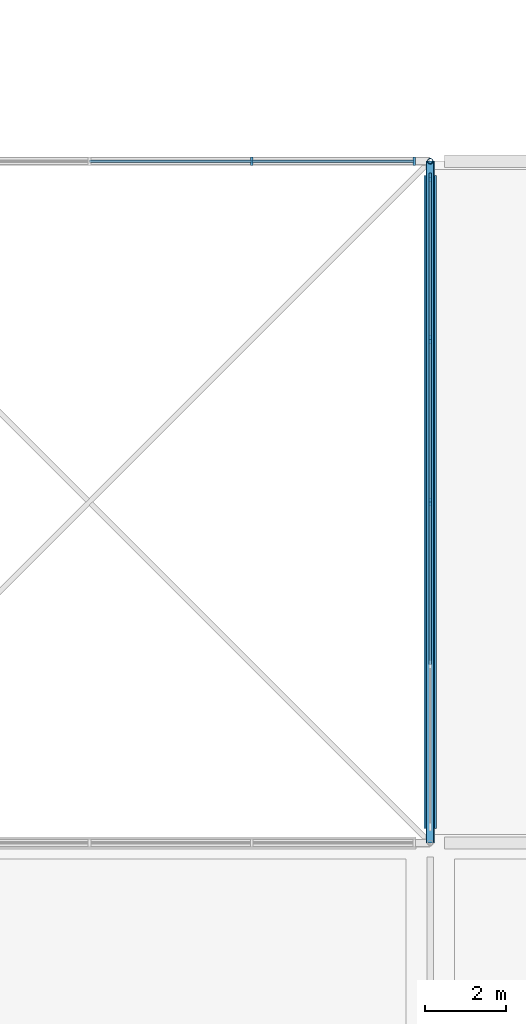
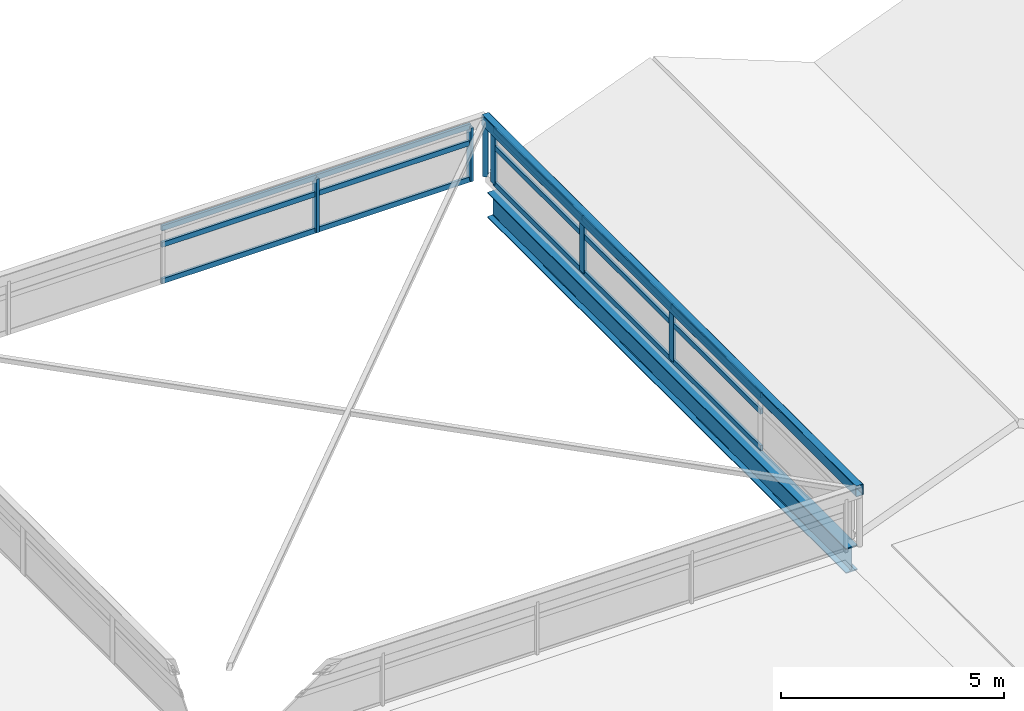
# One storey, part 65 of 81: 21 members, 2 beams, 2 elements without a shape of their own.
"""IFC4 building model written with IfcOpenShell, lengths in metres."""

import ifcopenshell
import ifcopenshell.guid

model = None  # the IFC model being written
_history = None  # IfcOwnerHistory: only IFC2X3 demands one
_inside = {}  # id of a spatial element -> (the spatial element, [elements in it])
_under = {}  # id of a project, library or spatial element -> (it, [spatial elements below it])
_declared = {}  # id of a project -> (the project, [libraries it declares])
_typed = {}  # id of a type object -> (the type object, [elements of that type])
_made_of = {}  # id of a material, layer set ... -> (it, [elements and type objects made of it])


def new_model(schema):
    """Start an empty IFC model of exactly this schema.

    Asked for "IFC4X3", IfcOpenShell would pick the latest addendum, in which some entities
    have other attributes; the version numbers below select the first issue.
    IFC2X3 requires an IfcOwnerHistory on every rooted entity: one is made here for all.
    """
    global model, _history
    if schema == "IFC4X3":
        model = ifcopenshell.file(schema_version=(4, 3, 0, 0))
    else:
        model = ifcopenshell.file(schema=schema)
    _inside.clear()
    _under.clear()
    _declared.clear()
    _typed.clear()
    _made_of.clear()
    _history = None
    if model.schema == "IFC2X3":
        org = make("IfcOrganization", Name="unknown")
        user = make(
            "IfcPersonAndOrganization",
            ThePerson=make("IfcPerson", FamilyName="unknown"),
            TheOrganization=org,
        )
        app = make(
            "IfcApplication",
            ApplicationDeveloper=org,
            Version="unknown",
            ApplicationFullName="unknown",
            ApplicationIdentifier="unknown",
        )
        _history = make(
            "IfcOwnerHistory",
            OwningUser=user,
            OwningApplication=app,
            ChangeAction="ADDED",
            CreationDate=0,
        )
    return model


def make(cls, **values):
    """One entity of the class cls with the attributes given. An attribute that is None is left unset."""
    return model.create_entity(
        cls, **{name: value for name, value in values.items() if value is not None}
    )


def rooted(cls, **values):
    """An entity with a GlobalId (a new one), such as an element, a storey or a relation."""
    return make(cls, GlobalId=ifcopenshell.guid.new(), OwnerHistory=_history, **values)


def si_unit(unit_type, name, prefix=None):
    """IfcSIUnit, for example si_unit("LENGTHUNIT", "METRE", prefix="MILLI")."""
    return make("IfcSIUnit", UnitType=unit_type, Prefix=prefix, Name=name)


def assignment(units):
    """IfcUnitAssignment: the units of a project."""
    return None if units is None else make("IfcUnitAssignment", Units=units)


def point(xyz):
    """IfcCartesianPoint."""
    return None if xyz is None else make("IfcCartesianPoint", Coordinates=xyz)


def direction(xyz):
    """IfcDirection."""
    return None if xyz is None else make("IfcDirection", DirectionRatios=xyz)


def frame(location, z_axis=None, x_axis=None):
    """IfcAxis2Placement3D, a coordinate frame: its origin and axes. An axis left out is left unset."""
    return make(
        "IfcAxis2Placement3D",
        Location=point(location),
        Axis=direction(z_axis),
        RefDirection=direction(x_axis),
    )


def frame_2d(location, x_axis=None):
    """IfcAxis2Placement2D, a coordinate frame in the plane: its origin and x axis."""
    return make(
        "IfcAxis2Placement2D", Location=point(location), RefDirection=direction(x_axis)
    )


def origin():
    """The frame at (0, 0, 0) with its axes left unset."""
    return frame((0.0, 0.0, 0.0))


def origin_2d():
    """The frame at (0, 0) in the plane with its x axis left unset."""
    return frame_2d((0.0, 0.0))


def place(relative_to, where):
    """IfcLocalPlacement: puts the frame where relative to a parent placement (None: the world)."""
    return make(
        "IfcLocalPlacement", PlacementRelTo=relative_to, RelativePlacement=where
    )


def context(
    kind, dimensions, precision=None, world=None, true_north=None, identifier=None
):
    """IfcGeometricRepresentationContext, for example the 3D "Model" context."""
    return make(
        "IfcGeometricRepresentationContext",
        ContextIdentifier=identifier,
        ContextType=kind,
        CoordinateSpaceDimension=dimensions,
        Precision=precision,
        WorldCoordinateSystem=world,
        TrueNorth=true_north,
    )


def subcontext(parent, identifier, kind, view, scale=None):
    """IfcGeometricRepresentationSubContext, for example "Body" below "Model"."""
    return make(
        "IfcGeometricRepresentationSubContext",
        ContextIdentifier=identifier,
        ContextType=kind,
        ParentContext=parent,
        TargetScale=scale,
        TargetView=view,
    )


def project(units=None, contexts=None):
    """IfcProject with its units and contexts."""
    return rooted(
        "IfcProject",
        Name="project",
        RepresentationContexts=contexts,
        UnitsInContext=assignment(units),
    )


def spatial(cls, under=None, at=None, **own):
    """A site, building, storey or space (cls), placed at a placement, below another one or the project."""
    s = rooted(cls, ObjectPlacement=at, **own)
    if under is not None:
        _under.setdefault(under.id(), (under, []))[1].append(s)
    return s


def profile(cls, at=None, kind="AREA", **sizes):
    """A parametric profile (cls). Its sizes go by their IFC names, for example OverallWidth=200.0."""
    return make(cls, ProfileType=kind, Position=at, **sizes)


def rectangle(**sizes):
    """IfcRectangleProfileDef."""
    return profile("IfcRectangleProfileDef", **sizes)


def hollow_rectangle(**sizes):
    """IfcRectangleHollowProfileDef."""
    return profile("IfcRectangleHollowProfileDef", **sizes)


def hollow_circle(**sizes):
    """IfcCircleHollowProfileDef."""
    return profile("IfcCircleHollowProfileDef", **sizes)


def i_section(**sizes):
    """IfcIShapeProfileDef."""
    return profile("IfcIShapeProfileDef", **sizes)


def extrude(swept, where, along, depth):
    """IfcExtrudedAreaSolid: the profile swept, set in the frame where, extruded along a direction by depth."""
    return make(
        "IfcExtrudedAreaSolid",
        SweptArea=swept,
        Position=where,
        ExtrudedDirection=direction(along),
        Depth=depth,
    )


def shape(context_of_items, identifier, shape_type, items):
    """IfcShapeRepresentation: the items that make up one representation, for example the "Body"."""
    return make(
        "IfcShapeRepresentation",
        ContextOfItems=context_of_items,
        RepresentationIdentifier=identifier,
        RepresentationType=shape_type,
        Items=items,
    )


def material(Name=None, Category=None):
    """IfcMaterial."""
    return make("IfcMaterial", Name=Name, Category=Category)


def layer(
    of_material, thickness, ventilated=None, Name=None, Category=None, Priority=None
):
    """IfcMaterialLayer: one layer of a wall or slab, of a material (None: an air gap)."""
    return make(
        "IfcMaterialLayer",
        Material=of_material,
        LayerThickness=thickness,
        IsVentilated=ventilated,
        Name=Name,
        Category=Category,
        Priority=Priority,
    )


def layer_set(layers, Name=None):
    """IfcMaterialLayerSet."""
    return make("IfcMaterialLayerSet", MaterialLayers=layers, LayerSetName=Name)


def material_profile(
    of_material, cross_section, Name=None, Category=None, Priority=None
):
    """IfcMaterialProfile: a cross section and its material."""
    return make(
        "IfcMaterialProfile",
        Name=Name,
        Material=of_material,
        Profile=cross_section,
        Priority=Priority,
        Category=Category,
    )


def profile_set(profiles, Name=None, composite=None):
    """IfcMaterialProfileSet."""
    return make(
        "IfcMaterialProfileSet",
        Name=Name,
        MaterialProfiles=profiles,
        CompositeProfile=composite,
    )


def made_of(thing, what):
    """Note that an element or type object is made of a material, layer set ...; save() writes the relation."""
    if what is not None:
        _made_of.setdefault(what.id(), (what, []))[1].append(thing)
    return thing


def type_object(cls, material=None, **own):
    """A type object (cls), such as IfcWallType, which elements share."""
    return made_of(rooted(cls, **own), material)


def element(
    cls,
    number,
    at=None,
    inside=None,
    cuts=None,
    type_object=None,
    material=None,
    context=None,
    identifier="Body",
    shape_type=None,
    held_by="IfcProductDefinitionShape",
    body=None,
    shapes=None,
    **own,
):
    """One element of the class cls, such as IfcWall. Its Tag is "e" and its number.

    at: its placement. inside: the storey or other place that contains it. cuts: it is an
    opening in that element (IfcRelVoidsElement). A single representation is given by context,
    identifier, shape_type and body (its items); several are given by shapes. held_by: the class
    of the entity that holds the representations. save() writes the other relations.
    """
    e = rooted(cls, Tag="e%d" % number, ObjectPlacement=at, **own)
    if body is not None:
        shapes = [shape(context, identifier, shape_type, body)]
    if shapes is not None:
        e.Representation = make(held_by, Representations=shapes)
    if inside is not None:
        _inside.setdefault(inside.id(), (inside, []))[1].append(e)
    if cuts is not None:
        rooted(
            "IfcRelVoidsElement", RelatingBuildingElement=cuts, RelatedOpeningElement=e
        )
    if type_object is not None:
        _typed.setdefault(type_object.id(), (type_object, []))[1].append(e)
    return made_of(e, material)


def aggregate(whole, parts):
    """IfcRelAggregates: a whole, such as a stair, and the parts it consists of."""
    return rooted("IfcRelAggregates", RelatingObject=whole, RelatedObjects=parts)


def save(model, path):
    """Write the relations noted so far, then the file.

    IfcRelAggregates (storeys below a building ...), IfcRelContainedInSpatialStructure (elements
    in a storey), IfcRelDefinesByType, IfcRelAssociatesMaterial and IfcRelDeclares: one each for
    every whole, place, type object, material and project.
    """
    for whole, parts in _under.values():
        aggregate(whole, parts)
    for where, things in _inside.values():
        rooted(
            "IfcRelContainedInSpatialStructure",
            RelatedElements=things,
            RelatingStructure=where,
        )
    for kind, things in _typed.values():
        rooted("IfcRelDefinesByType", RelatedObjects=things, RelatingType=kind)
    for what, things in _made_of.values():
        rooted("IfcRelAssociatesMaterial", RelatedObjects=things, RelatingMaterial=what)
    for by, libraries in _declared.values():
        rooted("IfcRelDeclares", RelatingContext=by, RelatedDefinitions=libraries)
    model.write(path)


model = new_model("IFC4")

# Units and contexts
model_context = context("Model", 3, precision=1e-05, world=origin(), true_north=direction((0.0, 1.0)))
body_context = subcontext(model_context, "Body", "Model", "MODEL_VIEW")
ifc_project = project(units=[si_unit("LENGTHUNIT", "METRE"), si_unit("AREAUNIT", "SQUARE_METRE"), si_unit("VOLUMEUNIT", "CUBIC_METRE"), si_unit("PLANEANGLEUNIT", "RADIAN"), si_unit("MASSUNIT", "GRAM", prefix="KILO")], contexts=[model_context])

# Site, building, storey
site_placement = place(None, origin())
site = spatial("IfcSite", under=ifc_project, at=site_placement, CompositionType="ELEMENT")
building_placement = place(site_placement, origin())
building = spatial("IfcBuilding", under=site, at=building_placement, Name="Qawsi Khor Wholesale Market", CompositionType="ELEMENT")
storey_placement = place(building_placement, frame((0.0, 0.0, 16.199951171875)))
storey = spatial("IfcBuildingStorey", under=building, at=storey_placement, Name="L03", CompositionType="ELEMENT", Elevation=16.199951171875)

# Curtain wall, members
ifc_material_1 = material(Name="Aluminium Anodised Bronze", Category="aluminium")
ifc_layer = layer(ifc_material_1, 0.179931640625, Name="Aluminium Anodised Bronze")
ifc_layer_set = layer_set([ifc_layer], Name="Aluminium Anodised Bronze")
curtain_wall_type = type_object("IfcCurtainWallType", Name="Atrium Full-Height Curtain Wall CW-02", PredefinedType="NOTDEFINED", material=ifc_layer_set)
curtain_wall_1_placement = place(storey_placement, origin())
curtain_wall_1 = element("IfcCurtainWall", 1, at=curtain_wall_1_placement, inside=storey, type_object=curtain_wall_type, Name="Curtain wall CW-CW-02-L03-051", PredefinedType="NOTDEFINED")
ifc_material_profile_1 = material_profile(ifc_material_1, rectangle(XDim=0.070068359375, YDim=0.199951171875, at=origin_2d()), Name="ALU MULLION 70x200")
ifc_profile_set_1 = profile_set([ifc_material_profile_1], Name="Aluminium Anodised Bronze")
member_type_1 = type_object("IfcMemberType", Name="Curtain Wall Mullion CW-02 ALU MULLION 70x200", PredefinedType="MULLION", material=ifc_profile_set_1)
member_1_placement = place(storey_placement, frame((163.6025390625, 42.0, -0.02001953125), z_axis=(0.0, 0.0, 1.0), x_axis=(1.0, 0.0, 0.0)))
member_1 = element("IfcMember", 2, at=member_1_placement, type_object=member_type_1, Name="Mullion CW-CW-02-L03-051-M03", PredefinedType="MULLION", context=body_context, shape_type="SweptSolid", body=[
    extrude(rectangle(XDim=0.070068359375, YDim=0.199951171875, at=origin_2d()), origin(), (0.0, 0.0, 1.0), 1.469970703125),
])
member_2_placement = place(storey_placement, frame((167.60498046875, 42.0, -0.02001953125), z_axis=(0.0, 0.0, 1.0), x_axis=(1.0, 0.0, 0.0)))
member_2 = element("IfcMember", 3, at=member_2_placement, type_object=member_type_1, Name="Mullion CW-CW-02-L03-051-M04", PredefinedType="MULLION", context=body_context, shape_type="SweptSolid", body=[
    extrude(rectangle(XDim=0.070068359375, YDim=0.199951171875, at=origin_2d()), origin(), (0.0, 0.0, 1.0), 1.469970703125),
])

curtain_wall_2_placement = place(storey_placement, origin())
curtain_wall_2 = element("IfcCurtainWall", 4, at=curtain_wall_2_placement, inside=storey, type_object=curtain_wall_type, Name="Curtain wall CW-CW-02-L03-053", PredefinedType="NOTDEFINED")
member_3_placement = place(storey_placement, frame((168.0, 33.60009765625, -0.02001953125), z_axis=(0.0, 0.0, 1.0), x_axis=(1.0, 0.0, 0.0)))
member_3 = element("IfcMember", 5, at=member_3_placement, type_object=member_type_1, Name="Mullion CW-CW-02-L03-053-M02", PredefinedType="MULLION", context=body_context, shape_type="SweptSolid", body=[
    extrude(rectangle(XDim=0.070068359375, YDim=0.199951171875, at=origin_2d()), origin(), (0.0, 0.0, 1.0), 1.469970703125),
])
member_4_placement = place(storey_placement, frame((168.0, 37.6025390625, -0.02001953125), z_axis=(0.0, 0.0, 1.0), x_axis=(1.0, 0.0, 0.0)))
member_4 = element("IfcMember", 6, at=member_4_placement, type_object=member_type_1, Name="Mullion CW-CW-02-L03-053-M03", PredefinedType="MULLION", context=body_context, shape_type="SweptSolid", body=[
    extrude(rectangle(XDim=0.070068359375, YDim=0.199951171875, at=origin_2d()), origin(), (0.0, 0.0, 1.0), 1.469970703125),
])
member_5_placement = place(storey_placement, frame((168.0, 41.60498046875, -0.02001953125), z_axis=(0.0, 0.0, 1.0), x_axis=(1.0, 0.0, 0.0)))
member_5 = element("IfcMember", 7, at=member_5_placement, type_object=member_type_1, Name="Mullion CW-CW-02-L03-053-M04", PredefinedType="MULLION", context=body_context, shape_type="SweptSolid", body=[
    extrude(rectangle(XDim=0.070068359375, YDim=0.199951171875, at=origin_2d()), origin(), (0.0, 0.0, 1.0), 1.469970703125),
])

# Member
ifc_material_profile_2 = material_profile(ifc_material_1, rectangle(XDim=0.06494140625, YDim=0.139892578125, at=origin_2d()), Name="ALU TRANSOM 65x140")
ifc_profile_set_2 = profile_set([ifc_material_profile_2], Name="Aluminium Anodised Bronze")
member_type_2 = type_object("IfcMemberType", Name="Curtain Wall Transom CW-02 ALU TRANSOM 65x140", PredefinedType="USERDEFINED", material=ifc_profile_set_2)
member_6_placement = place(storey_placement, frame((159.60009765625, 42.0, 0.0), z_axis=(1.0, 0.0, 0.0), x_axis=(0.0, 1.0, 0.0)))
member_6 = element("IfcMember", 8, at=member_6_placement, type_object=member_type_2, Name="Transom CW-CW-02-L03-051-T0_02", ObjectType="TRANSOM", PredefinedType="USERDEFINED", context=body_context, shape_type="SweptSolid", body=[
    extrude(rectangle(XDim=0.06494140625, YDim=0.139892578125, at=origin_2d()), origin(), (0.0, 0.0, 1.0), 4.00244140625),
])

member_7_placement = place(storey_placement, frame((163.6025390625, 42.0, 0.0), z_axis=(1.0, 0.0, 0.0), x_axis=(0.0, 1.0, 0.0)))
member_7 = element("IfcMember", 9, at=member_7_placement, type_object=member_type_2, Name="Transom CW-CW-02-L03-051-T0_03", ObjectType="TRANSOM", PredefinedType="USERDEFINED", context=body_context, shape_type="SweptSolid", body=[
    extrude(rectangle(XDim=0.06494140625, YDim=0.139892578125, at=origin_2d()), origin(), (0.0, 0.0, 1.0), 4.00244140625),
])

member_8_placement = place(storey_placement, frame((159.60009765625, 42.0, 1.0), z_axis=(1.0, 0.0, 0.0), x_axis=(0.0, 1.0, 0.0)))
member_8 = element("IfcMember", 10, at=member_8_placement, type_object=member_type_2, Name="Transom CW-CW-02-L03-051-T1_02", ObjectType="TRANSOM", PredefinedType="USERDEFINED", context=body_context, shape_type="SweptSolid", body=[
    extrude(rectangle(XDim=0.06494140625, YDim=0.139892578125, at=origin_2d()), origin(), (0.0, 0.0, 1.0), 4.00244140625),
])

member_9_placement = place(storey_placement, frame((163.6025390625, 42.0, 1.0), z_axis=(1.0, 0.0, 0.0), x_axis=(0.0, 1.0, 0.0)))
member_9 = element("IfcMember", 11, at=member_9_placement, type_object=member_type_2, Name="Transom CW-CW-02-L03-051-T1_03", ObjectType="TRANSOM", PredefinedType="USERDEFINED", context=body_context, shape_type="SweptSolid", body=[
    extrude(rectangle(XDim=0.06494140625, YDim=0.139892578125, at=origin_2d()), origin(), (0.0, 0.0, 1.0), 4.00244140625),
])

member_10_placement = place(storey_placement, frame((159.60009765625, 42.0, 1.449951171875), z_axis=(1.0, 0.0, 0.0), x_axis=(0.0, 1.0, 0.0)))
member_10 = element("IfcMember", 12, at=member_10_placement, type_object=member_type_2, Name="Transom CW-CW-02-L03-051-T2_02", ObjectType="TRANSOM", PredefinedType="USERDEFINED", context=body_context, shape_type="SweptSolid", body=[
    extrude(rectangle(XDim=0.06494140625, YDim=0.139892578125, at=origin_2d()), origin(), (0.0, 0.0, 1.0), 4.00244140625),
])

member_11_placement = place(storey_placement, frame((163.6025390625, 42.0, 1.449951171875), z_axis=(1.0, 0.0, 0.0), x_axis=(0.0, 1.0, 0.0)))
member_11 = element("IfcMember", 13, at=member_11_placement, type_object=member_type_2, Name="Transom CW-CW-02-L03-051-T2_03", ObjectType="TRANSOM", PredefinedType="USERDEFINED", context=body_context, shape_type="SweptSolid", body=[
    extrude(rectangle(XDim=0.06494140625, YDim=0.139892578125, at=origin_2d()), origin(), (0.0, 0.0, 1.0), 4.00244140625),
])

aggregate(curtain_wall_1, [member_1, member_2, member_6, member_7, member_8, member_9, member_10, member_11])

member_12_placement = place(storey_placement, frame((168.0, 29.597412109375, 0.0), z_axis=(0.0, 1.0, 0.0), x_axis=(-1.0, 0.0, 0.0)))
member_12 = element("IfcMember", 14, at=member_12_placement, type_object=member_type_2, Name="Transom CW-CW-02-L03-053-T0_01", ObjectType="TRANSOM", PredefinedType="USERDEFINED", context=body_context, shape_type="SweptSolid", body=[
    extrude(rectangle(XDim=0.06494140625, YDim=0.139892578125, at=origin_2d()), origin(), (0.0, 0.0, 1.0), 4.002685546875),
])

member_13_placement = place(storey_placement, frame((168.0, 33.60009765625, 0.0), z_axis=(0.0, 1.0, 0.0), x_axis=(-1.0, 0.0, 0.0)))
member_13 = element("IfcMember", 15, at=member_13_placement, type_object=member_type_2, Name="Transom CW-CW-02-L03-053-T0_02", ObjectType="TRANSOM", PredefinedType="USERDEFINED", context=body_context, shape_type="SweptSolid", body=[
    extrude(rectangle(XDim=0.06494140625, YDim=0.139892578125, at=origin_2d()), origin(), (0.0, 0.0, 1.0), 4.00244140625),
])

member_14_placement = place(storey_placement, frame((168.0, 37.6025390625, 0.0), z_axis=(0.0, 1.0, 0.0), x_axis=(-1.0, 0.0, 0.0)))
member_14 = element("IfcMember", 16, at=member_14_placement, type_object=member_type_2, Name="Transom CW-CW-02-L03-053-T0_03", ObjectType="TRANSOM", PredefinedType="USERDEFINED", context=body_context, shape_type="SweptSolid", body=[
    extrude(rectangle(XDim=0.06494140625, YDim=0.139892578125, at=origin_2d()), origin(), (0.0, 0.0, 1.0), 4.00244140625),
])

member_15_placement = place(storey_placement, frame((168.0, 29.597412109375, 1.0), z_axis=(0.0, 1.0, 0.0), x_axis=(-1.0, 0.0, 0.0)))
member_15 = element("IfcMember", 17, at=member_15_placement, type_object=member_type_2, Name="Transom CW-CW-02-L03-053-T1_01", ObjectType="TRANSOM", PredefinedType="USERDEFINED", context=body_context, shape_type="SweptSolid", body=[
    extrude(rectangle(XDim=0.06494140625, YDim=0.139892578125, at=origin_2d()), origin(), (0.0, 0.0, 1.0), 4.002685546875),
])

member_16_placement = place(storey_placement, frame((168.0, 33.60009765625, 1.0), z_axis=(0.0, 1.0, 0.0), x_axis=(-1.0, 0.0, 0.0)))
member_16 = element("IfcMember", 18, at=member_16_placement, type_object=member_type_2, Name="Transom CW-CW-02-L03-053-T1_02", ObjectType="TRANSOM", PredefinedType="USERDEFINED", context=body_context, shape_type="SweptSolid", body=[
    extrude(rectangle(XDim=0.06494140625, YDim=0.139892578125, at=origin_2d()), origin(), (0.0, 0.0, 1.0), 4.00244140625),
])

member_17_placement = place(storey_placement, frame((168.0, 37.6025390625, 1.0), z_axis=(0.0, 1.0, 0.0), x_axis=(-1.0, 0.0, 0.0)))
member_17 = element("IfcMember", 19, at=member_17_placement, type_object=member_type_2, Name="Transom CW-CW-02-L03-053-T1_03", ObjectType="TRANSOM", PredefinedType="USERDEFINED", context=body_context, shape_type="SweptSolid", body=[
    extrude(rectangle(XDim=0.06494140625, YDim=0.139892578125, at=origin_2d()), origin(), (0.0, 0.0, 1.0), 4.00244140625),
])

member_18_placement = place(storey_placement, frame((168.0, 29.597412109375, 1.449951171875), z_axis=(0.0, 1.0, 0.0), x_axis=(-1.0, 0.0, 0.0)))
member_18 = element("IfcMember", 20, at=member_18_placement, type_object=member_type_2, Name="Transom CW-CW-02-L03-053-T2_01", ObjectType="TRANSOM", PredefinedType="USERDEFINED", context=body_context, shape_type="SweptSolid", body=[
    extrude(rectangle(XDim=0.06494140625, YDim=0.139892578125, at=origin_2d()), origin(), (0.0, 0.0, 1.0), 4.002685546875),
])

member_19_placement = place(storey_placement, frame((168.0, 33.60009765625, 1.449951171875), z_axis=(0.0, 1.0, 0.0), x_axis=(-1.0, 0.0, 0.0)))
member_19 = element("IfcMember", 21, at=member_19_placement, type_object=member_type_2, Name="Transom CW-CW-02-L03-053-T2_02", ObjectType="TRANSOM", PredefinedType="USERDEFINED", context=body_context, shape_type="SweptSolid", body=[
    extrude(rectangle(XDim=0.06494140625, YDim=0.139892578125, at=origin_2d()), origin(), (0.0, 0.0, 1.0), 4.00244140625),
])

member_20_placement = place(storey_placement, frame((168.0, 37.6025390625, 1.449951171875), z_axis=(0.0, 1.0, 0.0), x_axis=(-1.0, 0.0, 0.0)))
member_20 = element("IfcMember", 22, at=member_20_placement, type_object=member_type_2, Name="Transom CW-CW-02-L03-053-T2_03", ObjectType="TRANSOM", PredefinedType="USERDEFINED", context=body_context, shape_type="SweptSolid", body=[
    extrude(rectangle(XDim=0.06494140625, YDim=0.139892578125, at=origin_2d()), origin(), (0.0, 0.0, 1.0), 4.00244140625),
])

aggregate(curtain_wall_2, [member_3, member_4, member_5, member_12, member_13, member_14, member_15, member_16, member_17, member_18, member_19, member_20])

ifc_material_2 = material(Name="Steel S355", Category="steel")
ifc_material_profile_3 = material_profile(ifc_material_2, hollow_circle(Radius=0.06982421875, WallThickness=0.00634765625, at=origin_2d()), Name="CHS 139.7x6.3")
ifc_profile_set_3 = profile_set([ifc_material_profile_3], Name="Steel S355")
member_type_3 = type_object("IfcMemberType", Name="Lantern Corner Strut CHS 139.7x6.3", PredefinedType="STRUT", material=ifc_profile_set_3)
member_21_placement = place(storey_placement, frame((168.0, 42.0, -0.050048828125), z_axis=(0.0, 0.0, 1.0), x_axis=(1.0, 0.0, 0.0)))
element("IfcMember", 23, at=member_21_placement, inside=storey, type_object=member_type_3, Name="Atrium lantern corner post EAT-3", PredefinedType="STRUT", context=body_context, shape_type="SweptSolid", body=[
    extrude(hollow_circle(Radius=0.06982421875, WallThickness=0.00634765625, at=origin_2d()), origin(), (0.0, 0.0, 1.0), 1.550048828125),
])

# Beams
ifc_material_profile_4 = material_profile(ifc_material_2, hollow_rectangle(XDim=0.199951171875, YDim=0.300048828125, WallThickness=0.012451171875, InnerFilletRadius=0.012451171875, OuterFilletRadius=0.02490234375, at=origin_2d()), Name="RHS 300x200x12.5")
ifc_profile_set_4 = profile_set([ifc_material_profile_4], Name="Steel S355")
beam_type_1 = type_object("IfcBeamType", Name="Lantern Rim Beam RHS 300x200x12.5", PredefinedType="BEAM", material=ifc_profile_set_4)
beam_1_placement = place(storey_placement, frame((168.0, 25.199951171875, 1.5), z_axis=(0.0, 1.0, 0.0), x_axis=(-1.0, 0.0, 0.0)))
element("IfcBeam", 24, at=beam_1_placement, inside=storey, type_object=beam_type_1, Name="Atrium lantern rim beam EAT-2", PredefinedType="BEAM", context=body_context, shape_type="SweptSolid", body=[
    extrude(hollow_rectangle(XDim=0.199951171875, YDim=0.300048828125, WallThickness=0.012451171875, InnerFilletRadius=0.012451171875, OuterFilletRadius=0.02490234375, at=origin_2d()), origin(), (0.0, 0.0, 1.0), 16.800048828125),
])
ifc_material_profile_5 = material_profile(ifc_material_2, i_section(OverallWidth=0.300048828125, OverallDepth=0.68994140625, WebThickness=0.014404296875, FlangeThickness=0.027099609375, FilletRadius=0.027099609375, at=origin_2d()), Name="HEA 700")
ifc_profile_set_5 = profile_set([ifc_material_profile_5], Name="Steel S355")
beam_type_2 = type_object("IfcBeamType", Name="Primary Girder HEA 700", PredefinedType="BEAM", material=ifc_profile_set_5)
beam_2_placement = place(storey_placement, frame((168.0, 25.550048828125, -0.594970703125), z_axis=(0.0, 1.0, 0.0), x_axis=(-1.0, 0.0, 0.0)))
element("IfcBeam", 25, at=beam_2_placement, inside=storey, type_object=beam_type_2, Name="BM-YL-L03-20_+03", PredefinedType="BEAM", context=body_context, shape_type="SweptSolid", body=[
    extrude(i_section(OverallWidth=0.300048828125, OverallDepth=0.68994140625, WebThickness=0.014404296875, FlangeThickness=0.027099609375, FilletRadius=0.027099609375, at=origin_2d()), origin(), (0.0, 0.0, 1.0), 16.099853515625),
])

save(model, "model.ifc")
